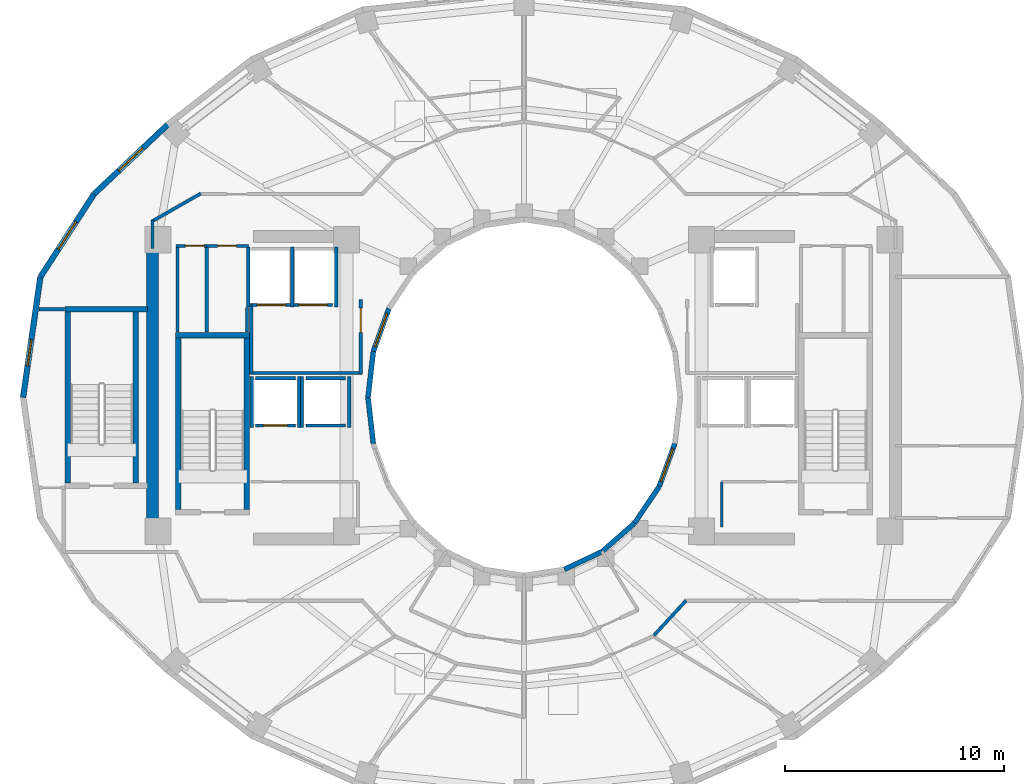
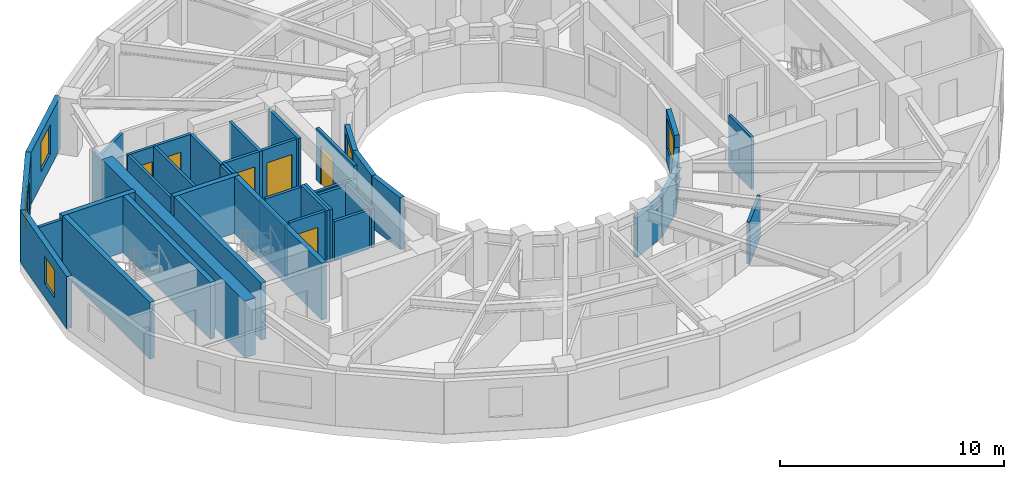
# One storey, part 4 of 9: 43 walls, 6 doors, 5 windows, 11 openings.
"""IFC4 building model written with IfcOpenShell, lengths in metres."""

from ifc_helpers import new_model, si_unit, direction, frame, frame_2d, origin, place, context, subcontext, project, spatial, rectangle, extrude, material, layer, layer_set, type_object, element, fill, save


model = new_model("IFC4")

# Units and contexts
model_context = context("Model", 3, precision=1e-05, world=origin(), true_north=direction((0.0, 1.0)))
body_context = subcontext(model_context, "Body", "Model", "MODEL_VIEW")
ifc_project = project(units=[si_unit("LENGTHUNIT", "METRE"), si_unit("AREAUNIT", "SQUARE_METRE"), si_unit("VOLUMEUNIT", "CUBIC_METRE"), si_unit("PLANEANGLEUNIT", "RADIAN"), si_unit("MASSUNIT", "GRAM", prefix="KILO")], contexts=[model_context])

# Site, building, storey
site_placement = place(None, origin())
site = spatial("IfcSite", under=ifc_project, at=site_placement, CompositionType="ELEMENT")
building_placement = place(site_placement, origin())
building = spatial("IfcBuilding", under=site, at=building_placement, Name="Solvane Sanctuary Tower", CompositionType="ELEMENT")
storey_placement = place(building_placement, frame((0.0, 0.0, 180.800048828125)))
storey = spatial("IfcBuildingStorey", under=building, at=storey_placement, Name="L55", CompositionType="ELEMENT", Elevation=180.800048828125)

# Walls
ifc_material_1 = material(Name="Concrete C50/60", Category="concrete")
ifc_layer_1 = layer(ifc_material_1, 0.550048828125, Name="Concrete C50/60")
ifc_layer_set_1 = layer_set([ifc_layer_1], Name="Concrete C50/60")
wall_type_1 = type_object("IfcWallType", Name="Wall W-CORE-550", PredefinedType="SHEAR", material=ifc_layer_set_1)
wall_1_placement = place(storey_placement, frame((15.050048828125, 17.050048828125, 0.0), z_axis=(0.0, 0.0, 1.0), x_axis=(0.0, 1.0, 0.0)))
element("IfcWall", 1, at=wall_1_placement, inside=storey, type_object=wall_type_1, Name="L55 Core Shear Wall WC-W", PredefinedType="SHEAR", context=body_context, shape_type="SweptSolid", body=[
    extrude(rectangle(XDim=12.800048828125, YDim=0.550048828125, at=frame_2d((6.39990234375, 0.0))), origin(), (0.0, 0.0, 1.0), 3.099853515625),
])
ifc_material_2 = material(Name="Acoustic Gypsum Partition Board")
ifc_layer_2 = layer(ifc_material_2, 0.14990234375, Name="Acoustic Gypsum Partition Board")
ifc_layer_set_2 = layer_set([ifc_layer_2], Name="Acoustic Gypsum Partition Board")
wall_type_2 = type_object("IfcWallType", Name="Wall W-CORR-150", PredefinedType="PARTITIONING", material=ifc_layer_set_2)
wall_2_placement = place(storey_placement, frame((19.52001953125, 24.1201171875, 0.0), z_axis=(0.0, 0.0, 1.0), x_axis=(1.0, 0.0, 0.0)))
element("IfcWall", 2, at=wall_2_placement, inside=storey, type_object=wall_type_2, Name="L55 West Firefighting Lobby South Wall", PredefinedType="PARTITIONING", context=body_context, shape_type="SweptSolid", body=[
    extrude(rectangle(XDim=5.080078125, YDim=0.14990234375, at=frame_2d((2.5400390625, 0.0))), origin(), (0.0, 0.0, 1.0), 2.119873046875),
])
wall_3_placement = place(storey_placement, frame((19.550048828125, 24.080078125, 0.0), z_axis=(0.0, 0.0, 1.0), x_axis=(0.0, 1.0, 0.0)))
element("IfcWall", 3, at=wall_3_placement, inside=storey, type_object=wall_type_2, Name="L55 West Firefighting Lobby West Wall", PredefinedType="PARTITIONING", context=body_context, shape_type="SweptSolid", body=[
    extrude(rectangle(XDim=3.199951171875, YDim=0.14990234375, at=frame_2d((1.60009765625, 0.0))), origin(), (0.0, 0.0, 1.0), 2.85498046875),
])

# Wall, opening, door
wall_4_placement = place(storey_placement, frame((24.550048828125, 24.080078125, 0.0), z_axis=(0.0, 0.0, 1.0), x_axis=(0.0, 1.0, 0.0)))
wall_4 = element("IfcWall", 4, at=wall_4_placement, inside=storey, type_object=wall_type_2, Name="L55 West Firefighting Lobby East Wall", PredefinedType="PARTITIONING", context=body_context, shape_type="SweptSolid", body=[
    extrude(rectangle(XDim=3.39990234375, YDim=0.14990234375, at=frame_2d((1.699951171875, 0.0))), origin(), (0.0, 0.0, 1.0), 2.85498046875),
])
opening_1_placement = place(wall_4_placement, frame((1.893798828125, 0.0, 0.0)))
opening_1 = element("IfcOpeningElement", 5, at=opening_1_placement, cuts=wall_4, Name="Opening D-L55-04", PredefinedType="OPENING", context=body_context, shape_type="SweptSolid", body=[
    extrude(rectangle(XDim=1.10009765625, YDim=2.10009765625, at=frame_2d((0.550048828125, 1.050048828125))), frame((0.0, 0.0849609375, 0.0), z_axis=(0.0, -1.0, 0.0), x_axis=(1.0, 0.0, 0.0)), (0.0, 0.0, 1.0), 0.169921875),
])
ifc_material_3 = material(Name="Architectural Stainless Steel 316", Category="steel")
door_type_1 = type_object("IfcDoorType", Name="Door D-FFL", OperationType="NOTDEFINED", PredefinedType="DOOR", material=ifc_material_3)
door_1_placement = place(opening_1_placement, origin())
door_1 = element("IfcDoor", 6, at=door_1_placement, inside=storey, type_object=door_type_1, Name="L55 West Firefighting Lobby Fire Door", OperationType="SINGLE_SWING_RIGHT", OverallHeight=2.10009765625, OverallWidth=1.10009765625, PredefinedType="DOOR", context=body_context, shape_type="SweptSolid", body=[
    extrude(rectangle(XDim=1.10009765625, YDim=2.10009765625, at=frame_2d((0.550048828125, 1.050048828125))), frame((0.0, 0.02490234375, 0.0), z_axis=(0.0, -1.0, 0.0), x_axis=(1.0, 0.0, 0.0)), (0.0, 0.0, 1.0), 0.050048828125),
])
fill(opening_1, door_1)

# Walls
wall_5_placement = place(storey_placement, frame((9.869873046875, 27.030029296875, 0.0), z_axis=(0.0, 0.0, 1.0), x_axis=(1.0, 0.0, 0.0)))
element("IfcWall", 7, at=wall_5_placement, inside=storey, type_object=wall_type_2, Name="L55 NW Corner Closer 1", PredefinedType="PARTITIONING", context=body_context, shape_type="SweptSolid", body=[
    extrude(rectangle(XDim=1.170166015625, YDim=0.14990234375, at=frame_2d((0.5849609375, 0.0))), origin(), (0.0, 0.0, 1.0), 2.85498046875),
])
wall_6_placement = place(storey_placement, frame((15.050048828125, 29.800048828125, 0.0), z_axis=(0.0, 0.0, 1.0), x_axis=(0.0, 1.0, 0.0)))
element("IfcWall", 8, at=wall_6_placement, inside=storey, type_object=wall_type_2, Name="L55 NW Corner Closer 2", PredefinedType="PARTITIONING", context=body_context, shape_type="SweptSolid", body=[
    extrude(rectangle(XDim=1.2900390625, YDim=0.14990234375, at=frame_2d((0.64501953125, 0.0))), origin(), (0.0, 0.0, 1.0), 2.85498046875),
])
wall_7_placement = place(storey_placement, frame((17.243408203125, 32.3046875, 0.0), z_axis=(0.0, 0.0, 1.0), x_axis=(-0.867991349648, -0.496579315857, 0.0)))
element("IfcWall", 9, at=wall_7_placement, inside=storey, type_object=wall_type_2, Name="L55 NW Corner Wing Wall", PredefinedType="PARTITIONING", context=body_context, shape_type="SweptSolid", body=[
    extrude(rectangle(XDim=2.56689453125, YDim=0.14990234375, at=frame_2d((1.283447265625, 0.0))), origin(), (0.0, 0.0, 1.0), 2.219970703125),
])
wall_8_placement = place(storey_placement, frame((37.92822265625, 12.144287109375, 0.0), z_axis=(0.0, 0.0, 1.0), x_axis=(0.677579737957, 0.735449317567, 0.0)))
element("IfcWall", 10, at=wall_8_placement, inside=storey, type_object=wall_type_2, Name="L55 SE Corner Throat Wall", PredefinedType="PARTITIONING", context=body_context, shape_type="SweptSolid", body=[
    extrude(rectangle(XDim=2.172607421875, YDim=0.14990234375, at=frame_2d((1.08642578125, 0.0))), origin(), (0.0, 0.0, 1.0), 2.299072265625),
])

# Wall, opening, window
ifc_material_4 = material(Name="Precast concrete C40/50", Category="concrete")
ifc_layer_3 = layer(ifc_material_4, 0.260009765625, Name="Precast concrete C40/50")
ifc_layer_set_3 = layer_set([ifc_layer_3], Name="Precast concrete C40/50")
wall_type_3 = type_object("IfcWallType", Name="Wall W-EXT-250", PredefinedType="STANDARD", material=ifc_layer_set_3)
wall_9_placement = place(storey_placement, frame((15.730712890625, 35.44140625, 0.0), z_axis=(0.0, 0.0, 1.0), x_axis=(-0.727667301037, -0.68593024354, 0.0)))
wall_9 = element("IfcWall", 11, at=wall_9_placement, inside=storey, type_object=wall_type_3, Name="L55 Ceramic-Printed Facade Wall 09", PredefinedType="STANDARD", context=body_context, shape_type="SweptSolid", body=[
    extrude(rectangle(XDim=4.603515625, YDim=0.260009765625, at=frame_2d((2.3017578125, 0.0))), origin(), (0.0, 0.0, 1.0), 2.849853515625),
])
opening_2_placement = place(wall_9_placement, frame((1.5517578125, 0.0, 0.75)))
opening_2 = element("IfcOpeningElement", 12, at=opening_2_placement, cuts=wall_9, Name="Opening WN-OPER-1500", PredefinedType="OPENING", context=body_context, shape_type="SweptSolid", body=[
    extrude(rectangle(XDim=1.5, YDim=1.60009765625, at=frame_2d((0.75, 0.800048828125))), frame((0.0, 0.139892578125, 0.0), z_axis=(0.0, -1.0, 0.0), x_axis=(1.0, 0.0, 0.0)), (0.0, 0.0, 1.0), 0.280029296875),
])
ifc_material_5 = material(Name="Dark Ceramic-Fritted Low-E Glass", Category="glass")
window_type_1 = type_object("IfcWindowType", Name="Window WN-OPER-1500", PartitioningType="SINGLE_PANEL", PredefinedType="WINDOW", material=ifc_material_5)
window_1_placement = place(opening_2_placement, origin())
window_1 = element("IfcWindow", 13, at=window_1_placement, inside=storey, type_object=window_type_1, Name="L55 Operable Facade Window 09", OverallHeight=1.60009765625, OverallWidth=1.5, PartitioningType="SINGLE_PANEL", PredefinedType="WINDOW", context=body_context, shape_type="SweptSolid", body=[
    extrude(rectangle(XDim=1.5, YDim=1.60009765625, at=frame_2d((0.75, 0.800048828125))), frame((0.0, 0.030029296875, 0.0), z_axis=(0.0, -1.0, 0.0), x_axis=(1.0, 0.0, 0.0)), (0.0, 0.0, 1.0), 0.06005859375),
])
fill(opening_2, window_1)

wall_10_placement = place(storey_placement, frame((12.380859375, 32.28369140625, 0.0), z_axis=(0.0, 0.0, 1.0), x_axis=(-0.543358984534, -0.839500454989, 0.0)))
wall_10 = element("IfcWall", 14, at=wall_10_placement, inside=storey, type_object=wall_type_3, Name="L55 Ceramic-Printed Facade Wall 10", PredefinedType="STANDARD", context=body_context, shape_type="SweptSolid", body=[
    extrude(rectangle(XDim=4.51123046875, YDim=0.260009765625, at=frame_2d((2.255615234375, 0.0))), origin(), (0.0, 0.0, 1.0), 2.849853515625),
])
opening_3_placement = place(wall_10_placement, frame((1.505615234375, 0.0, 0.75)))
opening_3 = element("IfcOpeningElement", 15, at=opening_3_placement, cuts=wall_10, Name="Opening WN-OPER-1500", PredefinedType="OPENING", context=body_context, shape_type="SweptSolid", body=[
    extrude(rectangle(XDim=1.5, YDim=1.60009765625, at=frame_2d((0.75, 0.800048828125))), frame((0.0, 0.139892578125, 0.0), z_axis=(0.0, -1.0, 0.0), x_axis=(1.0, 0.0, 0.0)), (0.0, 0.0, 1.0), 0.280029296875),
])
window_2_placement = place(opening_3_placement, origin())
window_2 = element("IfcWindow", 16, at=window_2_placement, inside=storey, type_object=window_type_1, Name="L55 Operable Facade Window 10", OverallHeight=1.60009765625, OverallWidth=1.5, PartitioningType="SINGLE_PANEL", PredefinedType="WINDOW", context=body_context, shape_type="SweptSolid", body=[
    extrude(rectangle(XDim=1.5, YDim=1.60009765625, at=frame_2d((0.75, 0.800048828125))), frame((0.0, 0.030029296875, 0.0), z_axis=(0.0, -1.0, 0.0), x_axis=(1.0, 0.0, 0.0)), (0.0, 0.0, 1.0), 0.06005859375),
])
fill(opening_3, window_2)

wall_11_placement = place(storey_placement, frame((9.9296875, 28.49658203125, 0.0), z_axis=(0.0, 0.0, 1.0), x_axis=(-0.142227632286, -0.989833976288, 0.0)))
wall_11 = element("IfcWall", 17, at=wall_11_placement, inside=storey, type_object=wall_type_3, Name="L55 Ceramic-Printed Facade Wall 11", PredefinedType="STANDARD", context=body_context, shape_type="SweptSolid", body=[
    extrude(rectangle(XDim=5.552978515625, YDim=0.260009765625, at=frame_2d((2.7763671875, 0.0))), origin(), (0.0, 0.0, 1.0), 2.849853515625),
])
opening_4_placement = place(wall_11_placement, frame((2.892333984375, 0.0, 0.75)))
opening_4 = element("IfcOpeningElement", 18, at=opening_4_placement, cuts=wall_11, Name="Opening WN-OPER-1200", PredefinedType="OPENING", context=body_context, shape_type="SweptSolid", body=[
    extrude(rectangle(XDim=1.199951171875, YDim=1.5, at=frame_2d((0.60009765625, 0.75))), frame((0.0, 0.139892578125, 0.0), z_axis=(0.0, -1.0, 0.0), x_axis=(1.0, 0.0, 0.0)), (0.0, 0.0, 1.0), 0.280029296875),
])
window_type_2 = type_object("IfcWindowType", Name="Window WN-OPER-1200", PartitioningType="SINGLE_PANEL", PredefinedType="WINDOW", material=ifc_material_5)
window_3_placement = place(opening_4_placement, origin())
window_3 = element("IfcWindow", 19, at=window_3_placement, inside=storey, type_object=window_type_2, Name="L55 Operable Facade Window 11", OverallHeight=1.5, OverallWidth=1.199951171875, PartitioningType="SINGLE_PANEL", PredefinedType="WINDOW", context=body_context, shape_type="SweptSolid", body=[
    extrude(rectangle(XDim=1.199951171875, YDim=1.5, at=frame_2d((0.60009765625, 0.75))), frame((0.0, 0.030029296875, 0.0), z_axis=(0.0, -1.0, 0.0), x_axis=(1.0, 0.0, 0.0)), (0.0, 0.0, 1.0), 0.06005859375),
])
fill(opening_4, window_3)

ifc_layer_4 = layer(ifc_material_4, 0.22998046875, Name="Precast concrete C40/50")
ifc_layer_set_4 = layer_set([ifc_layer_4], Name="Precast concrete C40/50")
wall_type_4 = type_object("IfcWallType", Name="Wall W-EXT-SP220", PredefinedType="STANDARD", material=ifc_layer_set_4)
wall_12_placement = place(storey_placement, frame((25.833984375, 27.06005859375, 0.0), z_axis=(0.0, 0.0, 1.0), x_axis=(-0.341423187295, -0.93990968033, 0.0)))
wall_12 = element("IfcWall", 20, at=wall_12_placement, inside=storey, type_object=wall_type_4, Name="L55 Central Light-Well Wall 10", PredefinedType="STANDARD", context=body_context, shape_type="SweptSolid", body=[
    extrude(rectangle(XDim=2.083740234375, YDim=0.22998046875, at=frame_2d((1.0419921875, 0.0))), origin(), (0.0, 0.0, 1.0), 2.83984375),
])
opening_5_placement = place(wall_12_placement, frame((0.24169921875, 0.0, 0.85009765625)))
opening_5 = element("IfcOpeningElement", 21, at=opening_5_placement, cuts=wall_12, Name="Opening WN-WELL-1600", PredefinedType="OPENING", context=body_context, shape_type="SweptSolid", body=[
    extrude(rectangle(XDim=1.60009765625, YDim=1.64990234375, at=frame_2d((0.800048828125, 0.824951171875))), frame((0.0, 0.125, 0.0), z_axis=(0.0, -1.0, 0.0), x_axis=(1.0, 0.0, 0.0)), (0.0, 0.0, 1.0), 0.25),
])
ifc_material_6 = material(Name="Clear Laminated Light-Well Glass", Category="glass")
window_type_3 = type_object("IfcWindowType", Name="Window WN-WELL-1600", PartitioningType="SINGLE_PANEL", PredefinedType="WINDOW", material=ifc_material_6)
window_4_placement = place(opening_5_placement, origin())
window_4 = element("IfcWindow", 22, at=window_4_placement, inside=storey, type_object=window_type_3, Name="L55 Light-Well Daylight Window 10", OverallHeight=1.64990234375, OverallWidth=1.60009765625, PartitioningType="SINGLE_PANEL", PredefinedType="WINDOW", context=body_context, shape_type="SweptSolid", body=[
    extrude(rectangle(XDim=1.60009765625, YDim=1.64990234375, at=frame_2d((0.800048828125, 0.824951171875))), frame((0.0, 0.030029296875, 0.0), z_axis=(0.0, -1.0, 0.0), x_axis=(1.0, 0.0, 0.0)), (0.0, 0.0, 1.0), 0.06005859375),
])
fill(opening_5, window_4)

# Walls
for number, where, z_axis, x_axis, name in (
    (23, (25.12255859375, 25.1015625, 0.0), (0.0, 0.0, 1.0), (-0.114711713601, -0.993398823617, 0.0), "L55 Central Light-Well Wall 11"),
    (24, (24.8798828125, 23.0, 0.0), (0.0, 0.0, 1.0), (0.114711713601, -0.993398823617, 0.0), "L55 Central Light-Well Wall 12"),
):
    element("IfcWall", number, at=place(storey_placement, frame(where, z_axis=z_axis, x_axis=x_axis)), inside=storey, type_object=wall_type_4, Name=name, PredefinedType="STANDARD", context=body_context, shape_type="SweptSolid", body=[
        extrude(rectangle(XDim=2.115478515625, YDim=0.22998046875, at=frame_2d((1.0576171875, 0.0))), origin(), (0.0, 0.0, 1.0), 2.83984375),
    ])
wall_13_placement = place(storey_placement, frame((33.8427734375, 15.15673828125, 0.0), z_axis=(0.0, 0.0, 1.0), x_axis=(0.904179699603, 0.427152280606, 0.0)))
element("IfcWall", 25, at=wall_13_placement, inside=storey, type_object=wall_type_4, Name="L55 Central Light-Well Wall 19", PredefinedType="STANDARD", context=body_context, shape_type="SweptSolid", body=[
    extrude(rectangle(XDim=1.899169921875, YDim=0.22998046875, at=frame_2d((0.94970703125, 0.0))), origin(), (0.0, 0.0, 1.0), 2.159912109375),
])
wall_14_placement = place(storey_placement, frame((35.56005859375, 15.968017578125, 0.0), z_axis=(0.0, 0.0, 1.0), x_axis=(0.752576694707, 0.658504607869, 0.0)))
element("IfcWall", 26, at=wall_14_placement, inside=storey, type_object=wall_type_4, Name="L55 Central Light-Well Wall 20", PredefinedType="STANDARD", context=body_context, shape_type="SweptSolid", body=[
    extrude(rectangle(XDim=1.95947265625, YDim=0.22998046875, at=frame_2d((0.979736328125, 0.0))), origin(), (0.0, 0.0, 1.0), 2.159912109375),
])
wall_15_placement = place(storey_placement, frame((37.03466796875, 17.25830078125, 0.0), z_axis=(0.0, 0.0, 1.0), x_axis=(0.558197800898, 0.829707909492, 0.0)))
element("IfcWall", 27, at=wall_15_placement, inside=storey, type_object=wall_type_4, Name="L55 Central Light-Well Wall 21", PredefinedType="STANDARD", context=body_context, shape_type="SweptSolid", body=[
    extrude(rectangle(XDim=2.02685546875, YDim=0.22998046875, at=frame_2d((1.013427734375, 0.0))), origin(), (0.0, 0.0, 1.0), 2.159912109375),
])

# Wall, opening, window
wall_16_placement = place(storey_placement, frame((38.166015625, 18.93994140625, 0.0), z_axis=(0.0, 0.0, 1.0), x_axis=(0.341423187295, 0.93990968033, 0.0)))
wall_16 = element("IfcWall", 28, at=wall_16_placement, inside=storey, type_object=wall_type_4, Name="L55 Central Light-Well Wall 22", PredefinedType="STANDARD", context=body_context, shape_type="SweptSolid", body=[
    extrude(rectangle(XDim=2.083740234375, YDim=0.22998046875, at=frame_2d((1.0419921875, 0.0))), origin(), (0.0, 0.0, 1.0), 2.83984375),
])
opening_6_placement = place(wall_16_placement, frame((0.24169921875, 0.0, 0.85009765625)))
opening_6 = element("IfcOpeningElement", 29, at=opening_6_placement, cuts=wall_16, Name="Opening WN-WELL-1600", PredefinedType="OPENING", context=body_context, shape_type="SweptSolid", body=[
    extrude(rectangle(XDim=1.60009765625, YDim=1.64990234375, at=frame_2d((0.800048828125, 0.824951171875))), frame((0.0, 0.125, 0.0), z_axis=(0.0, -1.0, 0.0), x_axis=(1.0, 0.0, 0.0)), (0.0, 0.0, 1.0), 0.25),
])
window_5_placement = place(opening_6_placement, origin())
window_5 = element("IfcWindow", 30, at=window_5_placement, inside=storey, type_object=window_type_3, Name="L55 Light-Well Daylight Window 22", OverallHeight=1.64990234375, OverallWidth=1.60009765625, PartitioningType="SINGLE_PANEL", PredefinedType="WINDOW", context=body_context, shape_type="SweptSolid", body=[
    extrude(rectangle(XDim=1.60009765625, YDim=1.64990234375, at=frame_2d((0.800048828125, 0.824951171875))), frame((0.0, 0.030029296875, 0.0), z_axis=(0.0, -1.0, 0.0), x_axis=(1.0, 0.0, 0.0)), (0.0, 0.0, 1.0), 0.06005859375),
])
fill(opening_6, window_5)

# Wall
ifc_layer_5 = layer(ifc_material_2, 0.125, Name="Acoustic Gypsum Partition Board")
ifc_layer_set_5 = layer_set([ifc_layer_5], Name="Acoustic Gypsum Partition Board")
wall_type_5 = type_object("IfcWallType", Name="Wall W-PART-125", PredefinedType="PARTITIONING", material=ifc_layer_set_5)
wall_17_placement = place(storey_placement, frame((41.02001953125, 17.10009765625, 0.0), z_axis=(0.0, 0.0, 1.0), x_axis=(0.0, 1.0, 0.0)))
element("IfcWall", 31, at=wall_17_placement, inside=storey, type_object=wall_type_5, Name="L55 Reclaimed Room Closer Wall PLE-1", PredefinedType="PARTITIONING", context=body_context, shape_type="SweptSolid", body=[
    extrude(rectangle(XDim=2.039794921875, YDim=0.125, at=frame_2d((1.02001953125, 0.0))), origin(), (0.0, 0.0, 1.0), 2.85498046875),
])

# Wall, opening, door
ifc_layer_6 = layer(ifc_material_1, 0.14990234375, Name="Concrete C50/60")
ifc_layer_set_6 = layer_set([ifc_layer_6], Name="Concrete C50/60")
wall_type_6 = type_object("IfcWallType", Name="Wall W-SHAFT-150", PredefinedType="SOLIDWALL", material=ifc_layer_set_6)
wall_18_placement = place(storey_placement, frame((19.739990234375, 21.719970703125, 0.0), z_axis=(0.0, 0.0, 1.0), x_axis=(1.0, 0.0, 0.0)))
wall_18 = element("IfcWall", 32, at=wall_18_placement, inside=storey, type_object=wall_type_6, Name="L55 PM-1 Lift Shaft Wall F", PredefinedType="SOLIDWALL", context=body_context, shape_type="SweptSolid", body=[
    extrude(rectangle(XDim=1.820068359375, YDim=0.14990234375, at=frame_2d((0.91015625, 0.0))), origin(), (0.0, 0.0, 1.0), 2.85498046875),
])
opening_7_placement = place(wall_18_placement, frame((0.360107421875, 0.0, 0.0)))
opening_7 = element("IfcOpeningElement", 33, at=opening_7_placement, cuts=wall_18, Name="Opening LD-L55-01", PredefinedType="OPENING", context=body_context, shape_type="SweptSolid", body=[
    extrude(rectangle(XDim=1.10009765625, YDim=2.10009765625, at=frame_2d((0.550048828125, 1.050048828125))), frame((0.0, 0.0849609375, 0.0), z_axis=(0.0, -1.0, 0.0), x_axis=(1.0, 0.0, 0.0)), (0.0, 0.0, 1.0), 0.169921875),
])
door_type_2 = type_object("IfcDoorType", Name="Door LD-PASS-1100", OperationType="NOTDEFINED", PredefinedType="DOOR", material=ifc_material_3)
door_2_placement = place(opening_7_placement, origin())
door_2 = element("IfcDoor", 34, at=door_2_placement, inside=storey, type_object=door_type_2, Name="L55 PM-1 Lift Landing Door", OperationType="DOUBLE_DOOR_SLIDING", OverallHeight=2.10009765625, OverallWidth=1.10009765625, PredefinedType="DOOR", context=body_context, shape_type="SweptSolid", body=[
    extrude(rectangle(XDim=1.10009765625, YDim=2.10009765625, at=frame_2d((0.550048828125, 1.050048828125))), frame((0.0, 0.02490234375, 0.0), z_axis=(0.0, -1.0, 0.0), x_axis=(1.0, 0.0, 0.0)), (0.0, 0.0, 1.0), 0.050048828125),
])
fill(opening_7, door_2)

# Walls
wall_19_placement = place(storey_placement, frame((19.739990234375, 23.8798828125, 0.0), z_axis=(0.0, 0.0, 1.0), x_axis=(1.0, 0.0, 0.0)))
element("IfcWall", 35, at=wall_19_placement, inside=storey, type_object=wall_type_6, Name="L55 PM-1 Lift Shaft Wall B", PredefinedType="SOLIDWALL", context=body_context, shape_type="SweptSolid", body=[
    extrude(rectangle(XDim=1.820068359375, YDim=0.14990234375, at=frame_2d((0.91015625, 0.0))), origin(), (0.0, 0.0, 1.0), 2.85498046875),
])
for number, where, z_axis, x_axis, name in (
    (36, (19.570068359375, 21.639892578125, 0.0), (0.0, 0.0, 1.0), (0.0, 1.0, 0.0), "L55 PM-1 Lift Shaft Wall S1"),
    (37, (21.72998046875, 21.639892578125, 0.0), (0.0, 0.0, 1.0), (0.0, 1.0, 0.0), "L55 PM-1 Lift Shaft Wall S2"),
):
    element("IfcWall", number, at=place(storey_placement, frame(where, z_axis=z_axis, x_axis=x_axis)), inside=storey, type_object=wall_type_6, Name=name, PredefinedType="SOLIDWALL", context=body_context, shape_type="SweptSolid", body=[
        extrude(rectangle(XDim=2.320068359375, YDim=0.14990234375, at=frame_2d((1.16015625, 0.0))), origin(), (0.0, 0.0, 1.0), 2.85498046875),
    ])
for number, where, z_axis, x_axis, name in (
    (38, (22.0400390625, 21.719970703125, 0.0), (0.0, 0.0, 1.0), (1.0, 0.0, 0.0), "L55 PH-1 Lift Shaft Wall F"),
    (39, (22.0400390625, 23.8798828125, 0.0), (0.0, 0.0, 1.0), (1.0, 0.0, 0.0), "L55 PH-1 Lift Shaft Wall B"),
):
    element("IfcWall", number, at=place(storey_placement, frame(where, z_axis=z_axis, x_axis=x_axis)), inside=storey, type_object=wall_type_6, Name=name, PredefinedType="SOLIDWALL", context=body_context, shape_type="SweptSolid", body=[
        extrude(rectangle(XDim=1.820068359375, YDim=0.14990234375, at=frame_2d((0.91015625, 0.0))), origin(), (0.0, 0.0, 1.0), 2.119873046875),
    ])
wall_20_placement = place(storey_placement, frame((21.8701171875, 21.639892578125, 0.0), z_axis=(0.0, 0.0, 1.0), x_axis=(0.0, 1.0, 0.0)))
element("IfcWall", 40, at=wall_20_placement, inside=storey, type_object=wall_type_6, Name="L55 PH-1 Lift Shaft Wall S1", PredefinedType="SOLIDWALL", context=body_context, shape_type="SweptSolid", body=[
    extrude(rectangle(XDim=2.320068359375, YDim=0.14990234375, at=frame_2d((1.16015625, 0.0))), origin(), (0.0, 0.0, 1.0), 2.85498046875),
])
wall_21_placement = place(storey_placement, frame((24.030029296875, 21.639892578125, 0.0), z_axis=(0.0, 0.0, 1.0), x_axis=(0.0, 1.0, 0.0)))
element("IfcWall", 41, at=wall_21_placement, inside=storey, type_object=wall_type_6, Name="L55 PH-1 Lift Shaft Wall S2", PredefinedType="SOLIDWALL", context=body_context, shape_type="SweptSolid", body=[
    extrude(rectangle(XDim=2.320068359375, YDim=0.14990234375, at=frame_2d((1.16015625, 0.0))), origin(), (0.0, 0.0, 1.0), 2.119873046875),
])

# Wall, opening, door
wall_22_placement = place(storey_placement, frame((19.590087890625, 27.219970703125, 0.0), z_axis=(0.0, 0.0, 1.0), x_axis=(1.0, 0.0, 0.0)))
wall_22 = element("IfcWall", 42, at=wall_22_placement, inside=storey, type_object=wall_type_6, Name="L55 FFL-1 Lift Shaft Wall F", PredefinedType="SOLIDWALL", context=body_context, shape_type="SweptSolid", body=[
    extrude(rectangle(XDim=1.760009765625, YDim=0.14990234375, at=frame_2d((0.8798828125, 0.0))), origin(), (0.0, 0.0, 1.0), 2.85498046875),
])
opening_8_placement = place(wall_22_placement, frame((0.22998046875, 0.0, 0.0)))
opening_8 = element("IfcOpeningElement", 43, at=opening_8_placement, cuts=wall_22, Name="Opening LD-L55-03", PredefinedType="OPENING", context=body_context, shape_type="SweptSolid", body=[
    extrude(rectangle(XDim=1.300048828125, YDim=2.10009765625, at=frame_2d((0.64990234375, 1.050048828125))), frame((0.0, 0.0849609375, 0.0), z_axis=(0.0, -1.0, 0.0), x_axis=(1.0, 0.0, 0.0)), (0.0, 0.0, 1.0), 0.169921875),
])
door_type_3 = type_object("IfcDoorType", Name="Door LD-FFL-1300", OperationType="NOTDEFINED", PredefinedType="DOOR", material=ifc_material_3)
door_3_placement = place(opening_8_placement, origin())
door_3 = element("IfcDoor", 44, at=door_3_placement, inside=storey, type_object=door_type_3, Name="L55 FFL-1 Lift Landing Door", OperationType="DOUBLE_DOOR_SLIDING", OverallHeight=2.10009765625, OverallWidth=1.300048828125, PredefinedType="DOOR", context=body_context, shape_type="SweptSolid", body=[
    extrude(rectangle(XDim=1.300048828125, YDim=2.10009765625, at=frame_2d((0.64990234375, 1.050048828125))), frame((0.0, 0.02490234375, 0.0), z_axis=(0.0, -1.0, 0.0), x_axis=(1.0, 0.0, 0.0)), (0.0, 0.0, 1.0), 0.050048828125),
])
fill(opening_8, door_3)

# Walls
for number, where, z_axis, x_axis, name in (
    (45, (19.419921875, 27.139892578125, 0.0), (0.0, 0.0, 1.0), (0.0, 1.0, 0.0), "L55 FFL-1 Lift Shaft Wall S1"),
    (46, (21.425048828125, 27.139892578125, 0.0), (0.0, 0.0, 1.0), (0.0, 1.0, 0.0), "L55 FFL-1 Lift Shaft Wall S2"),
):
    element("IfcWall", number, at=place(storey_placement, frame(where, z_axis=z_axis, x_axis=x_axis)), inside=storey, type_object=wall_type_6, Name=name, PredefinedType="SOLIDWALL", context=body_context, shape_type="SweptSolid", body=[
        extrude(rectangle(XDim=2.72021484375, YDim=0.14990234375, at=frame_2d((1.360107421875, 0.0))), origin(), (0.0, 0.0, 1.0), 2.85498046875),
    ])

# Wall, opening, door
wall_23_placement = place(storey_placement, frame((21.5, 27.219970703125, 0.0), z_axis=(0.0, 0.0, 1.0), x_axis=(1.0, 0.0, 0.0)))
wall_23 = element("IfcWall", 47, at=wall_23_placement, inside=storey, type_object=wall_type_6, Name="L55 SVL-1 Lift Shaft Wall F", PredefinedType="SOLIDWALL", context=body_context, shape_type="SweptSolid", body=[
    extrude(rectangle(XDim=1.760009765625, YDim=0.14990234375, at=frame_2d((0.8798828125, 0.0))), origin(), (0.0, 0.0, 1.0), 2.85498046875),
])
opening_9_placement = place(wall_23_placement, frame((0.22998046875, 0.0, 0.0)))
opening_9 = element("IfcOpeningElement", 48, at=opening_9_placement, cuts=wall_23, Name="Opening LD-L55-04", PredefinedType="OPENING", context=body_context, shape_type="SweptSolid", body=[
    extrude(rectangle(XDim=1.300048828125, YDim=2.10009765625, at=frame_2d((0.64990234375, 1.050048828125))), frame((0.0, 0.0849609375, 0.0), z_axis=(0.0, -1.0, 0.0), x_axis=(1.0, 0.0, 0.0)), (0.0, 0.0, 1.0), 0.169921875),
])
door_4_placement = place(opening_9_placement, origin())
door_4 = element("IfcDoor", 49, at=door_4_placement, inside=storey, type_object=door_type_3, Name="L55 SVL-1 Lift Landing Door", OperationType="DOUBLE_DOOR_SLIDING", OverallHeight=2.10009765625, OverallWidth=1.300048828125, PredefinedType="DOOR", context=body_context, shape_type="SweptSolid", body=[
    extrude(rectangle(XDim=1.300048828125, YDim=2.10009765625, at=frame_2d((0.64990234375, 1.050048828125))), frame((0.0, 0.02490234375, 0.0), z_axis=(0.0, -1.0, 0.0), x_axis=(1.0, 0.0, 0.0)), (0.0, 0.0, 1.0), 0.050048828125),
])
fill(opening_9, door_4)

# Walls
wall_24_placement = place(storey_placement, frame((23.429931640625, 27.139892578125, 0.0), z_axis=(0.0, 0.0, 1.0), x_axis=(0.0, 1.0, 0.0)))
element("IfcWall", 50, at=wall_24_placement, inside=storey, type_object=wall_type_6, Name="L55 SVL-1 Lift Shaft Wall S2", PredefinedType="SOLIDWALL", context=body_context, shape_type="SweptSolid", body=[
    extrude(rectangle(XDim=2.72021484375, YDim=0.14990234375, at=frame_2d((1.360107421875, 0.0))), origin(), (0.0, 0.0, 1.0), 2.85498046875),
])
ifc_layer_7 = layer(ifc_material_1, 0.25, Name="Concrete C50/60")
ifc_layer_set_7 = layer_set([ifc_layer_7], Name="Concrete C50/60")
wall_type_7 = type_object("IfcWallType", Name="Wall W-SHAFT-250", PredefinedType="SOLIDWALL", material=ifc_layer_set_7)
wall_25_placement = place(storey_placement, frame((16.10498046875, 25.830078125, 0.0), z_axis=(0.0, 0.0, 1.0), x_axis=(1.0, 0.0, 0.0)))
element("IfcWall", 51, at=wall_25_placement, inside=storey, type_object=wall_type_7, Name="L55 ST-1 Load-Bearing Shaft Wall N", PredefinedType="SOLIDWALL", context=body_context, shape_type="SweptSolid", body=[
    extrude(rectangle(XDim=3.3701171875, YDim=0.25, at=frame_2d((1.68505859375, 0.0))), origin(), (0.0, 0.0, 1.0), 3.099853515625),
])
for number, where, z_axis, x_axis, name in (
    (52, (16.22998046875, 17.89501953125, 0.0), (0.0, 0.0, 1.0), (0.0, 1.0, 0.0), "L55 ST-1 Load-Bearing Shaft Wall W"),
    (53, (19.35009765625, 17.89501953125, 0.0), (0.0, 0.0, 1.0), (0.0, 1.0, 0.0), "L55 ST-1 Load-Bearing Shaft Wall E"),
):
    element("IfcWall", number, at=place(storey_placement, frame(where, z_axis=z_axis, x_axis=x_axis)), inside=storey, type_object=wall_type_7, Name=name, PredefinedType="SOLIDWALL", context=body_context, shape_type="SweptSolid", body=[
        extrude(rectangle(XDim=7.81005859375, YDim=0.25, at=frame_2d((3.905029296875, 0.0))), origin(), (0.0, 0.0, 1.0), 3.099853515625),
    ])
wall_26_placement = place(storey_placement, frame((11.044921875, 27.030029296875, 0.0), z_axis=(0.0, 0.0, 1.0), x_axis=(1.0, 0.0, 0.0)))
element("IfcWall", 54, at=wall_26_placement, inside=storey, type_object=wall_type_7, Name="L55 ST-3 Load-Bearing Shaft Wall N", PredefinedType="SOLIDWALL", context=body_context, shape_type="SweptSolid", body=[
    extrude(rectangle(XDim=3.781982421875, YDim=0.25, at=frame_2d((1.89111328125, 0.0))), origin(), (0.0, 0.0, 1.0), 3.099853515625),
])
for number, where, z_axis, x_axis, name in (
    (55, (11.169921875, 19.094970703125, 0.0), (0.0, 0.0, 1.0), (0.0, 1.0, 0.0), "L55 ST-3 Load-Bearing Shaft Wall W"),
    (56, (14.2900390625, 19.094970703125, 0.0), (0.0, 0.0, 1.0), (0.0, 1.0, 0.0), "L55 ST-3 Load-Bearing Shaft Wall E"),
):
    element("IfcWall", number, at=place(storey_placement, frame(where, z_axis=z_axis, x_axis=x_axis)), inside=storey, type_object=wall_type_7, Name=name, PredefinedType="SOLIDWALL", context=body_context, shape_type="SweptSolid", body=[
        extrude(rectangle(XDim=7.81005859375, YDim=0.25, at=frame_2d((3.905029296875, 0.0))), origin(), (0.0, 0.0, 1.0), 3.099853515625),
    ])

# Wall, opening, door
ifc_layer_8 = layer(ifc_material_2, 0.139892578125, Name="Acoustic Gypsum Partition Board")
ifc_layer_set_8 = layer_set([ifc_layer_8], Name="Acoustic Gypsum Partition Board")
wall_type_8 = type_object("IfcWallType", Name="Wall W-WET-140", PredefinedType="PLUMBINGWALL", material=ifc_layer_set_8)
wall_27_placement = place(storey_placement, frame((16.1201171875, 29.919921875, 0.0), z_axis=(0.0, 0.0, 1.0), x_axis=(1.0, 0.0, 0.0)))
wall_27 = element("IfcWall", 57, at=wall_27_placement, inside=storey, type_object=wall_type_8, Name="L55 Core Service Front Wall KW1", PredefinedType="PLUMBINGWALL", context=body_context, shape_type="SweptSolid", body=[
    extrude(rectangle(XDim=1.39990234375, YDim=0.139892578125, at=frame_2d((0.699951171875, 0.0))), origin(), (0.0, 0.0, 1.0), 2.85498046875),
])
opening_10_placement = place(wall_27_placement, frame((0.429931640625, 0.0, 0.0)))
opening_10 = element("IfcOpeningElement", 58, at=opening_10_placement, cuts=wall_27, Name="Opening D-L55-08", PredefinedType="OPENING", context=body_context, shape_type="SweptSolid", body=[
    extrude(rectangle(XDim=0.85009765625, YDim=2.050048828125, at=frame_2d((0.425048828125, 1.02490234375))), frame((0.0, 0.079833984375, 0.0), z_axis=(0.0, -1.0, 0.0), x_axis=(1.0, 0.0, 0.0)), (0.0, 0.0, 1.0), 0.159912109375),
])
door_type_4 = type_object("IfcDoorType", Name="Door D-RISER", OperationType="NOTDEFINED", PredefinedType="DOOR", material=ifc_material_3)
door_5_placement = place(opening_10_placement, origin())
door_5 = element("IfcDoor", 59, at=door_5_placement, inside=storey, type_object=door_type_4, Name="L55 Core Service Room Door KW1-1", OperationType="SINGLE_SWING_RIGHT", OverallHeight=2.050048828125, OverallWidth=0.85009765625, PredefinedType="DOOR", context=body_context, shape_type="SweptSolid", body=[
    extrude(rectangle(XDim=0.85009765625, YDim=2.050048828125, at=frame_2d((0.425048828125, 1.02490234375))), frame((0.0, 0.02490234375, 0.0), z_axis=(0.0, -1.0, 0.0), x_axis=(1.0, 0.0, 0.0)), (0.0, 0.0, 1.0), 0.050048828125),
])
fill(opening_10, door_5)

# Walls
for number, where, z_axis, x_axis, name in (
    (60, (16.179931640625, 25.97998046875, 0.0), (0.0, 0.0, 1.0), (0.0, 1.0, 0.0), "L55 Core Service Side Wall KW1-1"),
    (61, (17.52001953125, 25.97998046875, 0.0), (0.0, 0.0, 1.0), (0.0, 1.0, 0.0), "L55 Core Service Side Wall KW1-2"),
):
    element("IfcWall", number, at=place(storey_placement, frame(where, z_axis=z_axis, x_axis=x_axis)), inside=storey, type_object=wall_type_8, Name=name, PredefinedType="PLUMBINGWALL", context=body_context, shape_type="SweptSolid", body=[
        extrude(rectangle(XDim=3.880126953125, YDim=0.139892578125, at=frame_2d((1.93994140625, 0.0))), origin(), (0.0, 0.0, 1.0), 2.85498046875),
    ])

# Wall, opening, door
wall_28_placement = place(storey_placement, frame((17.52001953125, 29.919921875, 0.0), z_axis=(0.0, 0.0, 1.0), x_axis=(1.0, 0.0, 0.0)))
wall_28 = element("IfcWall", 62, at=wall_28_placement, inside=storey, type_object=wall_type_8, Name="L55 Core Service Front Wall KW2", PredefinedType="PLUMBINGWALL", context=body_context, shape_type="SweptSolid", body=[
    extrude(rectangle(XDim=1.89990234375, YDim=0.139892578125, at=frame_2d((0.949951171875, 0.0))), origin(), (0.0, 0.0, 1.0), 2.85498046875),
])
opening_11_placement = place(wall_28_placement, frame((0.5, 0.0, 0.0)))
opening_11 = element("IfcOpeningElement", 63, at=opening_11_placement, cuts=wall_28, Name="Opening D-L55-09", PredefinedType="OPENING", context=body_context, shape_type="SweptSolid", body=[
    extrude(rectangle(XDim=0.85009765625, YDim=2.050048828125, at=frame_2d((0.425048828125, 1.02490234375))), frame((0.0, 0.079833984375, 0.0), z_axis=(0.0, -1.0, 0.0), x_axis=(1.0, 0.0, 0.0)), (0.0, 0.0, 1.0), 0.159912109375),
])
door_6_placement = place(opening_11_placement, origin())
door_6 = element("IfcDoor", 64, at=door_6_placement, inside=storey, type_object=door_type_4, Name="L55 Core Service Room Door KW2-1", OperationType="SINGLE_SWING_LEFT", OverallHeight=2.050048828125, OverallWidth=0.85009765625, PredefinedType="DOOR", context=body_context, shape_type="SweptSolid", body=[
    extrude(rectangle(XDim=0.85009765625, YDim=2.050048828125, at=frame_2d((0.425048828125, 1.02490234375))), frame((0.0, 0.02490234375, 0.0), z_axis=(0.0, -1.0, 0.0), x_axis=(1.0, 0.0, 0.0)), (0.0, 0.0, 1.0), 0.050048828125),
])
fill(opening_11, door_6)

# Wall
wall_29_placement = place(storey_placement, frame((19.360107421875, 25.97998046875, 0.0), z_axis=(0.0, 0.0, 1.0), x_axis=(0.0, 1.0, 0.0)))
element("IfcWall", 65, at=wall_29_placement, inside=storey, type_object=wall_type_8, Name="L55 Core Service Side Wall KW2-1", PredefinedType="PLUMBINGWALL", context=body_context, shape_type="SweptSolid", body=[
    extrude(rectangle(XDim=1.1201171875, YDim=0.139892578125, at=frame_2d((0.56005859375, 0.0))), origin(), (0.0, 0.0, 1.0), 2.85498046875),
])

save(model, "model.ifc")
